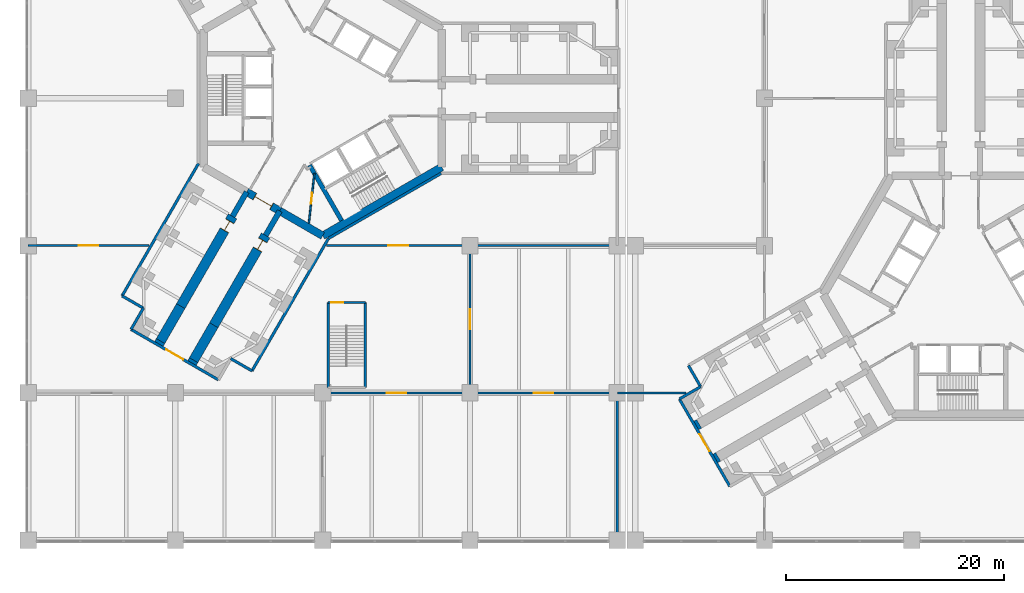
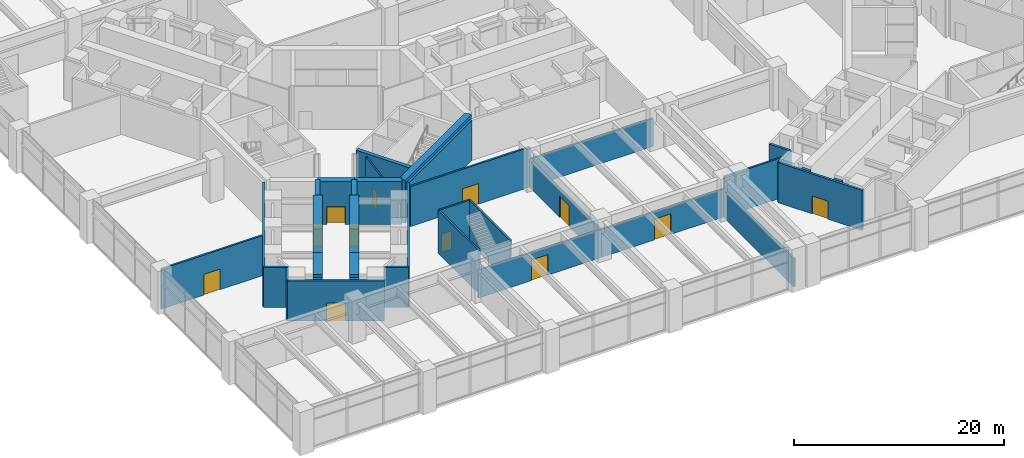
# One storey, part 21 of 32: 36 walls, 12 doors, 12 openings.
"""IFC4 building model written with IfcOpenShell, lengths in metres."""

from ifc_helpers import new_model, si_unit, direction, frame, frame_2d, origin, place, context, subcontext, project, spatial, rectangle, extrude, material, layer, layer_set, type_object, element, fill, save


model = new_model("IFC4")

# Units and contexts
model_context = context("Model", 3, precision=1e-05, world=origin(), true_north=direction((0.0, 1.0)))
body_context = subcontext(model_context, "Body", "Model", "MODEL_VIEW")
ifc_project = project(units=[si_unit("LENGTHUNIT", "METRE"), si_unit("AREAUNIT", "SQUARE_METRE"), si_unit("VOLUMEUNIT", "CUBIC_METRE"), si_unit("PLANEANGLEUNIT", "RADIAN"), si_unit("MASSUNIT", "GRAM", prefix="KILO")], contexts=[model_context])

# Site, building, storey
site_placement = place(None, origin())
site = spatial("IfcSite", under=ifc_project, at=site_placement, CompositionType="ELEMENT")
building_placement = place(site_placement, origin())
building = spatial("IfcBuilding", under=site, at=building_placement, Name="Upepo Twin Towers", CompositionType="ELEMENT")
storey_placement = place(building_placement, frame((0.0, 0.0, 10.5)))
storey = spatial("IfcBuildingStorey", under=building, at=storey_placement, Name="L02", CompositionType="ELEMENT", Elevation=10.5)

# Walls
ifc_material_1 = material(Name="Dense concrete blockwork", Category="masonry")
ifc_layer_1 = layer(ifc_material_1, 0.89990234375)
ifc_layer_set_1 = layer_set([ifc_layer_1], Name="Buttress closer 900, blockwork with fire-stopping to the curtain wall")
wall_type_1 = type_object("IfcWallType", Name="Buttress closer 900, blockwork with fire-stopping to the curtain wall", PredefinedType="PARTITIONING", material=ifc_layer_set_1)
wall_1_placement = place(storey_placement, frame((-11.83447265625, -23.997802734375, 0.0), z_axis=(0.0, 0.0, 1.0), x_axis=(-0.499816412211, -0.866131372301, 0.0)))
element("IfcWall", 1, at=wall_1_placement, inside=storey, type_object=wall_type_1, Name="T1 L02 wing C buttress closer L", PredefinedType="PARTITIONING", context=body_context, shape_type="SweptSolid", body=[
    extrude(rectangle(XDim=0.2998046875, YDim=0.89990234375, at=frame_2d((0.14990234375, 0.0))), origin(), (0.0, 0.0, 1.0), 4.64990234375),
])
for number, where, z_axis, x_axis, name in (
    (2, (-14.865478515625, -22.247802734375, 0.0), (0.0, 0.0, 1.0), (-0.500426713919, -0.865778900179, 0.0), "T1 L02 wing C buttress closer R"),
    (3, (36.252197265625, -32.865478515625, 0.0), (0.0, 0.0, 1.0), (-0.865778900179, -0.500426713919, 0.0), "T2 L02 wing B buttress closer L"),
):
    element("IfcWall", number, at=place(storey_placement, frame(where, z_axis=z_axis, x_axis=x_axis)), inside=storey, type_object=wall_type_1, Name=name, PredefinedType="PARTITIONING", context=body_context, shape_type="SweptSolid", body=[
        extrude(rectangle(XDim=0.300048828125, YDim=0.89990234375, at=frame_2d((0.14990234375, 0.0))), origin(), (0.0, 0.0, 1.0), 4.64990234375),
    ])
wall_2_placement = place(storey_placement, frame((34.502197265625, -29.83447265625, 0.0), z_axis=(0.0, 0.0, 1.0), x_axis=(-0.866131372301, -0.499816412211, 0.0)))
element("IfcWall", 4, at=wall_2_placement, inside=storey, type_object=wall_type_1, Name="T2 L02 wing B buttress closer R", PredefinedType="PARTITIONING", context=body_context, shape_type="SweptSolid", body=[
    extrude(rectangle(XDim=0.2998046875, YDim=0.89990234375, at=frame_2d((0.14990234375, 0.0))), origin(), (0.0, 0.0, 1.0), 4.64990234375),
])
ifc_material_2 = material(Name="Concrete C60/75", Category="concrete")
ifc_layer_2 = layer(ifc_material_2, 0.5)
ifc_layer_set_2 = layer_set([ifc_layer_2], Name="Concrete C60/75")
wall_type_2 = type_object("IfcWallType", Name="Buttress wall 500 RC", PredefinedType="SHEAR", material=ifc_layer_set_2)
for number, where, z_axis, x_axis, name in (
    (5, (-3.938720703125, -10.32177734375, 0.0), (0.0, 0.0, 1.0), (-0.499918158782, -0.866072649678, 0.0), "T1 wing C buttress wall L"),
    (6, (-6.9697265625, -8.57177734375, 0.0), (0.0, 0.0, 1.0), (-0.499988811324, -0.866031863473, 0.0), "T1 wing C buttress wall R"),
):
    element("IfcWall", number, at=place(storey_placement, frame(where, z_axis=z_axis, x_axis=x_axis)), inside=storey, type_object=wall_type_2, Name=name, PredefinedType="SHEAR", context=body_context, shape_type="SweptSolid", body=[
        extrude(rectangle(XDim=2.591796875, YDim=0.5, at=frame_2d((1.2958984375, 0.0))), origin(), (0.0, 0.0, 1.0), 5.0),
    ])

# Wall, opening, door
ifc_material_3 = material(Name="Concrete C60/75", Category="concrete")
ifc_layer_3 = layer(ifc_material_3, 0.89990234375)
ifc_layer_set_3 = layer_set([ifc_layer_3], Name="Concrete C60/75")
wall_type_3 = type_object("IfcWallType", Name="Buttress wall 900 RC", PredefinedType="SHEAR", material=ifc_layer_set_3)
wall_3_placement = place(storey_placement, frame((-5.234375, -12.56640625, 0.0), z_axis=(0.0, 0.0, 1.0), x_axis=(-0.499997557548, -0.86602681393, 0.0)))
wall_3 = element("IfcWall", 7, at=wall_3_placement, inside=storey, type_object=wall_type_3, Name="T1 wing C buttress wall L part 2", PredefinedType="SHEAR", context=body_context, shape_type="SweptSolid", body=[
    extrude(rectangle(XDim=9.5, YDim=0.89990234375, at=frame_2d((4.75, 0.0))), origin(), (0.0, 0.0, 1.0), 5.0),
])
opening_1_placement = place(wall_3_placement, frame((0.5, 0.0, 0.0)))
opening_1 = element("IfcOpeningElement", 8, at=opening_1_placement, cuts=wall_3, Name="Opening D1", PredefinedType="OPENING", context=body_context, shape_type="SweptSolid", body=[
    extrude(rectangle(XDim=1.0, YDim=2.10009765625, at=frame_2d((0.5, 1.050048828125))), frame((0.0, 0.4599609375, 0.0), z_axis=(0.0, -1.0, 0.0), x_axis=(1.0, 0.0, 0.0)), (0.0, 0.0, 1.0), 0.919921875),
])
ifc_material_4 = material(Name="Timber doorset", Category="wood")
door_type_1 = type_object("IfcDoorType", Name="Room door 1000 FD30", OperationType="SINGLE_SWING_LEFT", PredefinedType="DOOR", material=ifc_material_4)
door_1_placement = place(opening_1_placement, origin())
door_1 = element("IfcDoor", 9, at=door_1_placement, inside=storey, type_object=door_type_1, Name="T1 L02 library carrel room door", OperationType="SINGLE_SWING_LEFT", OverallHeight=2.10009765625, OverallWidth=1.0, PredefinedType="DOOR", context=body_context, shape_type="SweptSolid", body=[
    extrude(rectangle(XDim=0.92, YDim=2.06009765625, at=frame_2d((0.5, 1.030029296875))), frame((0.0, 0.02490234375, 0.0), z_axis=(0.0, -1.0, 0.0), x_axis=(1.0, 0.0, 0.0)), (0.0, 0.0, 1.0), 0.050048828125),
    extrude(rectangle(XDim=0.04, YDim=2.10009765625, at=frame_2d((0.02001953125, 1.050048828125))), frame((0.0, 0.44970703125, 0.0), z_axis=(0.0, -1.0, 0.0), x_axis=(1.0, 0.0, 0.0)), (0.0, 0.0, 1.0), 0.8994140625),
    extrude(rectangle(XDim=0.04, YDim=2.10009765625, at=frame_2d((0.97998046875, 1.050048828125))), frame((0.0, 0.44970703125, 0.0), z_axis=(0.0, -1.0, 0.0), x_axis=(1.0, 0.0, 0.0)), (0.0, 0.0, 1.0), 0.8994140625),
    extrude(rectangle(XDim=0.92, YDim=0.04, at=frame_2d((0.5, 2.080078125))), frame((0.0, 0.44970703125, 0.0), z_axis=(0.0, -1.0, 0.0), x_axis=(1.0, 0.0, 0.0)), (0.0, 0.0, 1.0), 0.8994140625),
])
fill(opening_1, door_1)

# Wall
wall_4_placement = place(storey_placement, frame((-9.984375, -20.793701171875, 0.0), z_axis=(0.0, 0.0, 1.0), x_axis=(-0.500042316284, -0.866000971088, 0.0)))
element("IfcWall", 10, at=wall_4_placement, inside=storey, type_object=wall_type_3, Name="T1 wing C buttress wall L part 3", PredefinedType="SHEAR", context=body_context, shape_type="SweptSolid", body=[
    extrude(rectangle(XDim=3.699951171875, YDim=0.89990234375, at=frame_2d((1.85009765625, 0.0))), origin(), (0.0, 0.0, 1.0), 5.0),
])

# Wall, opening, door
wall_5_placement = place(storey_placement, frame((-8.265625, -10.81640625, 0.0), z_axis=(0.0, 0.0, 1.0), x_axis=(-0.499997557548, -0.86602681393, 0.0)))
wall_5 = element("IfcWall", 11, at=wall_5_placement, inside=storey, type_object=wall_type_3, Name="T1 wing C buttress wall R part 2", PredefinedType="SHEAR", context=body_context, shape_type="SweptSolid", body=[
    extrude(rectangle(XDim=9.5, YDim=0.89990234375, at=frame_2d((4.75, 0.0))), origin(), (0.0, 0.0, 1.0), 5.0),
])
opening_2_placement = place(wall_5_placement, frame((0.5, 0.0, 0.0)))
opening_2 = element("IfcOpeningElement", 12, at=opening_2_placement, cuts=wall_5, Name="Opening D1", PredefinedType="OPENING", context=body_context, shape_type="SweptSolid", body=[
    extrude(rectangle(XDim=1.0, YDim=2.10009765625, at=frame_2d((0.5, 1.050048828125))), frame((0.0, 0.4599609375, 0.0), z_axis=(0.0, -1.0, 0.0), x_axis=(1.0, 0.0, 0.0)), (0.0, 0.0, 1.0), 0.919921875),
])
door_2_placement = place(opening_2_placement, origin())
door_2 = element("IfcDoor", 13, at=door_2_placement, inside=storey, type_object=door_type_1, Name="T1 L02 library carrel room door", OperationType="SINGLE_SWING_LEFT", OverallHeight=2.10009765625, OverallWidth=1.0, PredefinedType="DOOR", context=body_context, shape_type="SweptSolid", body=[
    extrude(rectangle(XDim=0.92, YDim=2.06009765625, at=frame_2d((0.5, 1.030029296875))), frame((0.0, 0.02490234375, 0.0), z_axis=(0.0, -1.0, 0.0), x_axis=(1.0, 0.0, 0.0)), (0.0, 0.0, 1.0), 0.050048828125),
    extrude(rectangle(XDim=0.04, YDim=2.10009765625, at=frame_2d((0.02001953125, 1.050048828125))), frame((0.0, 0.44970703125, 0.0), z_axis=(0.0, -1.0, 0.0), x_axis=(1.0, 0.0, 0.0)), (0.0, 0.0, 1.0), 0.8994140625),
    extrude(rectangle(XDim=0.04, YDim=2.10009765625, at=frame_2d((0.97998046875, 1.050048828125))), frame((0.0, 0.44970703125, 0.0), z_axis=(0.0, -1.0, 0.0), x_axis=(1.0, 0.0, 0.0)), (0.0, 0.0, 1.0), 0.8994140625),
    extrude(rectangle(XDim=0.92, YDim=0.04, at=frame_2d((0.5, 2.080078125))), frame((0.0, 0.44970703125, 0.0), z_axis=(0.0, -1.0, 0.0), x_axis=(1.0, 0.0, 0.0)), (0.0, 0.0, 1.0), 0.8994140625),
])
fill(opening_2, door_2)

# Wall
wall_6_placement = place(storey_placement, frame((-13.015625, -19.043701171875, 0.0), z_axis=(0.0, 0.0, 1.0), x_axis=(-0.499992827086, -0.866029545028, 0.0)))
element("IfcWall", 14, at=wall_6_placement, inside=storey, type_object=wall_type_3, Name="T1 wing C buttress wall R part 3", PredefinedType="SHEAR", context=body_context, shape_type="SweptSolid", body=[
    extrude(rectangle(XDim=3.69970703125, YDim=0.89990234375, at=frame_2d((1.849853515625, 0.0))), origin(), (0.0, 0.0, 1.0), 5.0),
])

# Wall, opening, door
ifc_material_5 = material(Name="Concrete C60/75", Category="concrete")
ifc_layer_4 = layer(ifc_material_5, 0.699951171875)
ifc_layer_set_4 = layer_set([ifc_layer_4], Name="Concrete C60/75")
wall_type_4 = type_object("IfcWallType", Name="Core wall 700 RC", PredefinedType="SHEAR", material=ifc_layer_set_4)
wall_7_placement = place(storey_placement, frame((-6.9697265625, -8.57177734375, 0.0), z_axis=(0.0, 0.0, 1.0), x_axis=(0.866019471182, -0.500010275428, 0.0)))
wall_7 = element("IfcWall", 15, at=wall_7_placement, inside=storey, type_object=wall_type_4, Name="T1 core wall 240", PredefinedType="SHEAR", context=body_context, shape_type="SweptSolid", body=[
    extrude(rectangle(XDim=3.5, YDim=0.699951171875, at=frame_2d((1.75, 0.0))), origin(), (0.0, 0.0, 1.0), 5.0),
])
opening_3_placement = place(wall_7_placement, frame((0.85009765625, 0.0, 0.0)))
opening_3 = element("IfcOpeningElement", 16, at=opening_3_placement, cuts=wall_7, Name="Opening D2", PredefinedType="OPENING", context=body_context, shape_type="SweptSolid", body=[
    extrude(rectangle(XDim=1.800048828125, YDim=2.10009765625, at=frame_2d((0.89990234375, 1.050048828125))), frame((0.0, 0.35986328125, 0.0), z_axis=(0.0, -1.0, 0.0), x_axis=(1.0, 0.0, 0.0)), (0.0, 0.0, 1.0), 0.719970703125),
])
ifc_material_6 = material(Name="Timber doorset", Category="wood")
door_type_2 = type_object("IfcDoorType", Name="Corridor double door 1800 FD60", OperationType="DOUBLE_DOOR_DOUBLE_SWING", PredefinedType="DOOR", material=ifc_material_6)
door_3_placement = place(opening_3_placement, origin())
door_3 = element("IfcDoor", 17, at=door_3_placement, inside=storey, type_object=door_type_2, Name="T1 L02 wing C corridor door", OperationType="DOUBLE_DOOR_DOUBLE_SWING", OverallHeight=2.10009765625, OverallWidth=1.800048828125, PredefinedType="DOOR", context=body_context, shape_type="SweptSolid", body=[
    extrude(rectangle(XDim=1.720048828125, YDim=2.06009765625, at=frame_2d((0.89990234375, 1.030029296875))), frame((0.0, 0.02490234375, 0.0), z_axis=(0.0, -1.0, 0.0), x_axis=(1.0, 0.0, 0.0)), (0.0, 0.0, 1.0), 0.050048828125),
    extrude(rectangle(XDim=0.04, YDim=2.10009765625, at=frame_2d((0.02001953125, 1.050048828125))), frame((0.0, 0.349609375, 0.0), z_axis=(0.0, -1.0, 0.0), x_axis=(1.0, 0.0, 0.0)), (0.0, 0.0, 1.0), 0.699462890625),
    extrude(rectangle(XDim=0.04, YDim=2.10009765625, at=frame_2d((1.780029296875, 1.050048828125))), frame((0.0, 0.349609375, 0.0), z_axis=(0.0, -1.0, 0.0), x_axis=(1.0, 0.0, 0.0)), (0.0, 0.0, 1.0), 0.699462890625),
    extrude(rectangle(XDim=1.720048828125, YDim=0.04, at=frame_2d((0.89990234375, 2.080078125))), frame((0.0, 0.349609375, 0.0), z_axis=(0.0, -1.0, 0.0), x_axis=(1.0, 0.0, 0.0)), (0.0, 0.0, 1.0), 0.699462890625),
])
fill(opening_3, door_3)

# Walls
wall_8_placement = place(storey_placement, frame((-3.938720703125, -10.32177734375, 0.0), z_axis=(0.0, 0.0, 1.0), x_axis=(0.866011268655, -0.500024481964, 0.0)))
element("IfcWall", 18, at=wall_8_placement, inside=storey, type_object=wall_type_4, Name="T1 core wall 240 L", PredefinedType="SHEAR", context=body_context, shape_type="SweptSolid", body=[
    extrude(rectangle(XDim=4.548095703125, YDim=0.699951171875, at=frame_2d((2.27392578125, 0.0))), origin(), (0.0, 0.0, 1.0), 5.0),
])
wall_9_placement = place(storey_placement, frame((0.0, -12.595947265625, 0.0), z_axis=(0.0, 0.0, 1.0), x_axis=(0.866021940709, 0.500005998175, 0.0)))
element("IfcWall", 19, at=wall_9_placement, inside=storey, type_object=wall_type_4, Name="T1 core wall 300", PredefinedType="SHEAR", context=body_context, shape_type="SweptSolid", body=[
    extrude(rectangle(XDim=12.595947265625, YDim=0.699951171875, at=frame_2d((6.2978515625, 0.0))), origin(), (0.0, 0.0, 1.0), 5.0),
])

# Wall, opening, door
ifc_material_7 = material(Name="Concrete blockwork", Category="masonry")
ifc_layer_5 = layer(ifc_material_7, 0.199951171875)
ifc_layer_set_5 = layer_set([ifc_layer_5], Name="Podium partition 200 blockwork")
wall_type_5 = type_object("IfcWallType", Name="Podium partition 200 blockwork", PredefinedType="PARTITIONING", material=ifc_layer_set_5)
wall_10_placement = place(storey_placement, frame((-27.0, -13.5, 0.0), z_axis=(0.0, 0.0, 1.0), x_axis=(1.0, 0.0, 0.0)))
wall_10 = element("IfcWall", 20, at=wall_10_placement, inside=storey, type_object=wall_type_5, Name="L02 podium wall Y02", PredefinedType="PARTITIONING", context=body_context, shape_type="SweptSolid", body=[
    extrude(rectangle(XDim=11.065185546875, YDim=0.199951171875, at=frame_2d((5.53271484375, 0.0))), origin(), (0.0, 0.0, 1.0), 4.64990234375),
])
opening_4_placement = place(wall_10_placement, frame((4.632568359375, 0.0, 0.0)))
opening_4 = element("IfcOpeningElement", 21, at=opening_4_placement, cuts=wall_10, Name="Opening D10", PredefinedType="OPENING", context=body_context, shape_type="SweptSolid", body=[
    extrude(rectangle(XDim=1.800048828125, YDim=2.39990234375, at=frame_2d((0.89990234375, 1.199951171875))), frame((0.0, 0.10986328125, 0.0), z_axis=(0.0, -1.0, 0.0), x_axis=(1.0, 0.0, 0.0)), (0.0, 0.0, 1.0), 0.219970703125),
])
ifc_material_8 = material(Name="Timber doorset", Category="wood")
door_type_3 = type_object("IfcDoorType", Name="Podium double door 1800", OperationType="DOUBLE_DOOR_DOUBLE_SWING", PredefinedType="DOOR", material=ifc_material_8)
door_4_placement = place(opening_4_placement, origin())
door_4 = element("IfcDoor", 22, at=door_4_placement, inside=storey, type_object=door_type_3, Name="L02 staff offices 2.01 door", OperationType="DOUBLE_DOOR_DOUBLE_SWING", OverallHeight=2.39990234375, OverallWidth=1.800048828125, PredefinedType="DOOR", context=body_context, shape_type="SweptSolid", body=[
    extrude(rectangle(XDim=1.800048828125, YDim=2.39990234375, at=frame_2d((0.89990234375, 1.199951171875))), frame((0.0, 0.02490234375, 0.0), z_axis=(0.0, -1.0, 0.0), x_axis=(1.0, 0.0, 0.0)), (0.0, 0.0, 1.0), 0.050048828125),
])
fill(opening_4, door_4)

wall_11_placement = place(storey_placement, frame((0.0, -27.0, 0.0), z_axis=(0.0, 0.0, 1.0), x_axis=(1.0, 0.0, 0.0)))
wall_11 = element("IfcWall", 23, at=wall_11_placement, inside=storey, type_object=wall_type_5, Name="L02 podium wall Y21", PredefinedType="PARTITIONING", context=body_context, shape_type="SweptSolid", body=[
    extrude(rectangle(XDim=13.5, YDim=0.199951171875, at=frame_2d((6.75, 0.0))), origin(), (0.0, 0.0, 1.0), 3.25),
])
opening_5_placement = place(wall_11_placement, frame((5.85009765625, 0.0, 0.0)))
opening_5 = element("IfcOpeningElement", 24, at=opening_5_placement, cuts=wall_11, Name="Opening D10", PredefinedType="OPENING", context=body_context, shape_type="SweptSolid", body=[
    extrude(rectangle(XDim=1.800048828125, YDim=2.39990234375, at=frame_2d((0.89990234375, 1.199951171875))), frame((0.0, 0.10986328125, 0.0), z_axis=(0.0, -1.0, 0.0), x_axis=(1.0, 0.0, 0.0)), (0.0, 0.0, 1.0), 0.219970703125),
])
door_5_placement = place(opening_5_placement, origin())
door_5 = element("IfcDoor", 25, at=door_5_placement, inside=storey, type_object=door_type_3, Name="L02 staff offices 2.04 door", OperationType="DOUBLE_DOOR_DOUBLE_SWING", OverallHeight=2.39990234375, OverallWidth=1.800048828125, PredefinedType="DOOR", context=body_context, shape_type="SweptSolid", body=[
    extrude(rectangle(XDim=1.800048828125, YDim=2.39990234375, at=frame_2d((0.89990234375, 1.199951171875))), frame((0.0, 0.02490234375, 0.0), z_axis=(0.0, -1.0, 0.0), x_axis=(1.0, 0.0, 0.0)), (0.0, 0.0, 1.0), 0.050048828125),
])
fill(opening_5, door_5)

wall_12_placement = place(storey_placement, frame((13.5, -27.0, 0.0), z_axis=(0.0, 0.0, 1.0), x_axis=(0.0, 1.0, 0.0)))
wall_12 = element("IfcWall", 26, at=wall_12_placement, inside=storey, type_object=wall_type_5, Name="L02 podium wall X31", PredefinedType="PARTITIONING", context=body_context, shape_type="SweptSolid", body=[
    extrude(rectangle(XDim=13.5, YDim=0.199951171875, at=frame_2d((6.75, 0.0))), origin(), (0.0, 0.0, 1.0), 3.25),
])
opening_6_placement = place(wall_12_placement, frame((5.85009765625, 0.0, 0.0)))
opening_6 = element("IfcOpeningElement", 27, at=opening_6_placement, cuts=wall_12, Name="Opening D10", PredefinedType="OPENING", context=body_context, shape_type="SweptSolid", body=[
    extrude(rectangle(XDim=1.800048828125, YDim=2.39990234375, at=frame_2d((0.89990234375, 1.199951171875))), frame((0.0, 0.10986328125, 0.0), z_axis=(0.0, -1.0, 0.0), x_axis=(1.0, 0.0, 0.0)), (0.0, 0.0, 1.0), 0.219970703125),
])
door_6_placement = place(opening_6_placement, origin())
door_6 = element("IfcDoor", 28, at=door_6_placement, inside=storey, type_object=door_type_3, Name="L02 staff offices 2.03 door", OperationType="DOUBLE_DOOR_DOUBLE_SWING", OverallHeight=2.39990234375, OverallWidth=1.800048828125, PredefinedType="DOOR", context=body_context, shape_type="SweptSolid", body=[
    extrude(rectangle(XDim=1.800048828125, YDim=2.39990234375, at=frame_2d((0.89990234375, 1.199951171875))), frame((0.0, 0.02490234375, 0.0), z_axis=(0.0, -1.0, 0.0), x_axis=(1.0, 0.0, 0.0)), (0.0, 0.0, 1.0), 0.050048828125),
])
fill(opening_6, door_6)

wall_13_placement = place(storey_placement, frame((0.346435546875, -13.5, 0.0), z_axis=(0.0, 0.0, 1.0), x_axis=(1.0, 0.0, 0.0)))
wall_13 = element("IfcWall", 29, at=wall_13_placement, inside=storey, type_object=wall_type_5, Name="L02 podium wall Y22", PredefinedType="PARTITIONING", context=body_context, shape_type="SweptSolid", body=[
    extrude(rectangle(XDim=13.153564453125, YDim=0.199951171875, at=frame_2d((6.57666015625, 0.0))), origin(), (0.0, 0.0, 1.0), 4.64990234375),
])
opening_7_placement = place(wall_13_placement, frame((5.6767578125, 0.0, 0.0)))
opening_7 = element("IfcOpeningElement", 30, at=opening_7_placement, cuts=wall_13, Name="Opening D10", PredefinedType="OPENING", context=body_context, shape_type="SweptSolid", body=[
    extrude(rectangle(XDim=1.800048828125, YDim=2.39990234375, at=frame_2d((0.89990234375, 1.199951171875))), frame((0.0, 0.10986328125, 0.0), z_axis=(0.0, -1.0, 0.0), x_axis=(1.0, 0.0, 0.0)), (0.0, 0.0, 1.0), 0.219970703125),
])
door_7_placement = place(opening_7_placement, origin())
door_7 = element("IfcDoor", 31, at=door_7_placement, inside=storey, type_object=door_type_3, Name="L02 toilets door", OperationType="DOUBLE_DOOR_DOUBLE_SWING", OverallHeight=2.39990234375, OverallWidth=1.800048828125, PredefinedType="DOOR", context=body_context, shape_type="SweptSolid", body=[
    extrude(rectangle(XDim=1.800048828125, YDim=2.39990234375, at=frame_2d((0.89990234375, 1.199951171875))), frame((0.0, 0.02490234375, 0.0), z_axis=(0.0, -1.0, 0.0), x_axis=(1.0, 0.0, 0.0)), (0.0, 0.0, 1.0), 0.050048828125),
])
fill(opening_7, door_7)

# Wall
wall_14_placement = place(storey_placement, frame((27.0, -40.5, 0.0), z_axis=(0.0, 0.0, 1.0), x_axis=(0.0, 1.0, 0.0)))
element("IfcWall", 32, at=wall_14_placement, inside=storey, type_object=wall_type_5, Name="L02 podium wall X40", PredefinedType="PARTITIONING", context=body_context, shape_type="SweptSolid", body=[
    extrude(rectangle(XDim=13.5, YDim=0.199951171875, at=frame_2d((6.75, 0.0))), origin(), (0.0, 0.0, 1.0), 3.25),
])

# Wall, opening, door
wall_15_placement = place(storey_placement, frame((13.5, -27.0, 0.0), z_axis=(0.0, 0.0, 1.0), x_axis=(1.0, 0.0, 0.0)))
wall_15 = element("IfcWall", 33, at=wall_15_placement, inside=storey, type_object=wall_type_5, Name="L02 podium wall Y31", PredefinedType="PARTITIONING", context=body_context, shape_type="SweptSolid", body=[
    extrude(rectangle(XDim=13.5, YDim=0.199951171875, at=frame_2d((6.75, 0.0))), origin(), (0.0, 0.0, 1.0), 3.25),
])
opening_8_placement = place(wall_15_placement, frame((5.85009765625, 0.0, 0.0)))
opening_8 = element("IfcOpeningElement", 34, at=opening_8_placement, cuts=wall_15, Name="Opening D10", PredefinedType="OPENING", context=body_context, shape_type="SweptSolid", body=[
    extrude(rectangle(XDim=1.800048828125, YDim=2.39990234375, at=frame_2d((0.89990234375, 1.199951171875))), frame((0.0, 0.10986328125, 0.0), z_axis=(0.0, -1.0, 0.0), x_axis=(1.0, 0.0, 0.0)), (0.0, 0.0, 1.0), 0.219970703125),
])
door_8_placement = place(opening_8_placement, origin())
door_8 = element("IfcDoor", 35, at=door_8_placement, inside=storey, type_object=door_type_3, Name="L02 staff offices 2.04-staff offices 2.03 door", OperationType="DOUBLE_DOOR_DOUBLE_SWING", OverallHeight=2.39990234375, OverallWidth=1.800048828125, PredefinedType="DOOR", context=body_context, shape_type="SweptSolid", body=[
    extrude(rectangle(XDim=1.800048828125, YDim=2.39990234375, at=frame_2d((0.89990234375, 1.199951171875))), frame((0.0, 0.02490234375, 0.0), z_axis=(0.0, -1.0, 0.0), x_axis=(1.0, 0.0, 0.0)), (0.0, 0.0, 1.0), 0.050048828125),
])
fill(opening_8, door_8)

# Walls
wall_16_placement = place(storey_placement, frame((13.5, -13.5, 0.0), z_axis=(0.0, 0.0, 1.0), x_axis=(1.0, 0.0, 0.0)))
element("IfcWall", 36, at=wall_16_placement, inside=storey, type_object=wall_type_5, Name="L02 podium wall Y32", PredefinedType="PARTITIONING", context=body_context, shape_type="SweptSolid", body=[
    extrude(rectangle(XDim=13.5, YDim=0.199951171875, at=frame_2d((6.75, 0.0))), origin(), (0.0, 0.0, 1.0), 3.25),
])
wall_17_placement = place(storey_placement, frame((27.0, -27.0, 0.0), z_axis=(0.0, 0.0, 1.0), x_axis=(1.0, 0.0, 0.0)))
element("IfcWall", 37, at=wall_17_placement, inside=storey, type_object=wall_type_5, Name="L02 podium wall Y41", PredefinedType="PARTITIONING", context=body_context, shape_type="SweptSolid", body=[
    extrude(rectangle(XDim=6.3115234375, YDim=0.199951171875, at=frame_2d((3.15576171875, 0.0))), origin(), (0.0, 0.0, 1.0), 4.64990234375),
])
ifc_material_9 = material(Name="Concrete C40/50", Category="concrete")
ifc_layer_6 = layer(ifc_material_9, 0.199951171875)
ifc_layer_set_6 = layer_set([ifc_layer_6], Name="Concrete C40/50")
wall_type_6 = type_object("IfcWallType", Name="Podium stair enclosure 200 RC", PredefinedType="SHEAR", material=ifc_layer_set_6)
wall_18_placement = place(storey_placement, frame((3.89990234375, -26.5, 0.0), z_axis=(0.0, 0.0, 1.0), x_axis=(0.0, 1.0, 0.0)))
element("IfcWall", 38, at=wall_18_placement, inside=storey, type_object=wall_type_6, Name="PS3 L02 enclosure wall 2", PredefinedType="SHEAR", context=body_context, shape_type="SweptSolid", body=[
    extrude(rectangle(XDim=7.800048828125, YDim=0.199951171875, at=frame_2d((3.89990234375, 0.0))), origin(), (0.0, 0.0, 1.0), 5.0),
])

# Wall, opening, door
wall_19_placement = place(storey_placement, frame((3.89990234375, -18.699951171875, 0.0), z_axis=(0.0, 0.0, 1.0), x_axis=(-1.0, 0.0, 0.0)))
wall_19 = element("IfcWall", 39, at=wall_19_placement, inside=storey, type_object=wall_type_6, Name="PS3 L02 enclosure wall 3", PredefinedType="SHEAR", context=body_context, shape_type="SweptSolid", body=[
    extrude(rectangle(XDim=3.39990234375, YDim=0.199951171875, at=frame_2d((1.699951171875, 0.0))), origin(), (0.0, 0.0, 1.0), 5.0),
])
opening_9_placement = place(wall_19_placement, frame((2.0, 0.0, 0.0)))
opening_9 = element("IfcOpeningElement", 40, at=opening_9_placement, cuts=wall_19, Name="Opening D3", PredefinedType="OPENING", context=body_context, shape_type="SweptSolid", body=[
    extrude(rectangle(XDim=1.10009765625, YDim=2.10009765625, at=frame_2d((0.550048828125, 1.050048828125))), frame((0.0, 0.10986328125, 0.0), z_axis=(0.0, -1.0, 0.0), x_axis=(1.0, 0.0, 0.0)), (0.0, 0.0, 1.0), 0.219970703125),
])
ifc_material_10 = material(Name="Timber doorset", Category="wood")
door_type_4 = type_object("IfcDoorType", Name="Stair door 1100 FD60", OperationType="SINGLE_SWING_LEFT", PredefinedType="DOOR", material=ifc_material_10)
door_9_placement = place(opening_9_placement, origin())
door_9 = element("IfcDoor", 41, at=door_9_placement, inside=storey, type_object=door_type_4, Name="PS3 L02 door", OperationType="SINGLE_SWING_RIGHT", OverallHeight=2.10009765625, OverallWidth=1.10009765625, PredefinedType="DOOR", context=body_context, shape_type="SweptSolid", body=[
    extrude(rectangle(XDim=1.10009765625, YDim=2.10009765625, at=frame_2d((0.550048828125, 1.050048828125))), frame((0.0, 0.02490234375, 0.0), z_axis=(0.0, -1.0, 0.0), x_axis=(1.0, 0.0, 0.0)), (0.0, 0.0, 1.0), 0.050048828125),
])
fill(opening_9, door_9)

# Walls
wall_20_placement = place(storey_placement, frame((0.5, -18.699951171875, 0.0), z_axis=(0.0, 0.0, 1.0), x_axis=(0.0, -1.0, 0.0)))
element("IfcWall", 42, at=wall_20_placement, inside=storey, type_object=wall_type_6, Name="PS3 L02 enclosure wall 4", PredefinedType="SHEAR", context=body_context, shape_type="SweptSolid", body=[
    extrude(rectangle(XDim=7.800048828125, YDim=0.199951171875, at=frame_2d((3.89990234375, 0.0))), origin(), (0.0, 0.0, 1.0), 5.0),
])
ifc_material_11 = material(Name="Concrete C40/50", Category="concrete")
ifc_layer_7 = layer(ifc_material_11, 0.39990234375)
ifc_layer_set_7 = layer_set([ifc_layer_7], Name="Concrete C40/50")
wall_type_7 = type_object("IfcWallType", Name="Shaft wall 400 RC", PredefinedType="SHEAR", material=ifc_layer_set_7)
wall_21_placement = place(storey_placement, frame((-1.20068359375, -6.120361328125, 0.0), z_axis=(0.0, 0.0, 1.0), x_axis=(0.500002627198, -0.866023886965, 0.0)))
element("IfcWall", 43, at=wall_21_placement, inside=storey, type_object=wall_type_7, Name="T1 core W300 side wall S", PredefinedType="SHEAR", context=body_context, shape_type="SweptSolid", body=[
    extrude(rectangle(XDim=5.8583984375, YDim=0.39990234375, at=frame_2d((2.92919921875, 0.0))), origin(), (0.0, 0.0, 1.0), 5.0),
])

# Wall, opening, door
ifc_material_12 = material(Name="Gypsum board on steel studs", Category="steel")
ifc_layer_8 = layer(ifc_material_12, 0.14990234375)
ifc_layer_set_8 = layer_set([ifc_layer_8], Name="Teaching partition 150 acoustic")
wall_type_8 = type_object("IfcWallType", Name="Teaching partition 150 acoustic", PredefinedType="PARTITIONING", material=ifc_layer_set_8)
wall_22_placement = place(storey_placement, frame((-0.763916015625, -6.876953125, 0.0), z_axis=(0.0, 0.0, 1.0), x_axis=(-0.110408266965, -0.993886318744, 0.0)))
wall_22 = element("IfcWall", 44, at=wall_22_placement, inside=storey, type_object=wall_type_8, Name="T1 core room partition 19", PredefinedType="PARTITIONING", context=body_context, shape_type="SweptSolid", body=[
    extrude(rectangle(XDim=4.608154296875, YDim=0.14990234375, at=frame_2d((2.30419921875, 0.0))), origin(), (0.0, 0.0, 1.0), 4.64990234375),
])
opening_10_placement = place(wall_22_placement, frame((1.80419921875, 0.0, 0.0)))
opening_10 = element("IfcOpeningElement", 45, at=opening_10_placement, cuts=wall_22, Name="Opening D1", PredefinedType="OPENING", context=body_context, shape_type="SweptSolid", body=[
    extrude(rectangle(XDim=1.0, YDim=2.10009765625, at=frame_2d((0.5, 1.050048828125))), frame((0.0, 0.0849609375, 0.0), z_axis=(0.0, -1.0, 0.0), x_axis=(1.0, 0.0, 0.0)), (0.0, 0.0, 1.0), 0.169921875),
])
door_10_placement = place(opening_10_placement, origin())
door_10 = element("IfcDoor", 46, at=door_10_placement, inside=storey, type_object=door_type_1, Name="T1 L02 core room door K3", OperationType="SINGLE_SWING_LEFT", OverallHeight=2.10009765625, OverallWidth=1.0, PredefinedType="DOOR", context=body_context, shape_type="SweptSolid", body=[
    extrude(rectangle(XDim=1.0, YDim=2.10009765625, at=frame_2d((0.5, 1.050048828125))), frame((0.0, 0.02490234375, 0.0), z_axis=(0.0, -1.0, 0.0), x_axis=(1.0, 0.0, 0.0)), (0.0, 0.0, 1.0), 0.050048828125),
])
fill(opening_10, door_10)

ifc_material_13 = material(Name="Concrete blockwork", Category="masonry")
ifc_layer_9 = layer(ifc_material_13, 0.25)
ifc_layer_set_9 = layer_set([ifc_layer_9], Name="Tower enclosure wall 250 blockwork")
wall_type_9 = type_object("IfcWallType", Name="Tower enclosure wall 250 blockwork", PredefinedType="STANDARD", material=ifc_layer_set_9)
wall_23_placement = place(storey_placement, frame((-9.55712890625, -25.803466796875, 0.0), z_axis=(0.0, 0.0, 1.0), x_axis=(-0.866025598446, 0.499999662836, 0.0)))
wall_23 = element("IfcWall", 47, at=wall_23_placement, inside=storey, type_object=wall_type_9, Name="T1 L02 enclosure wall 2", PredefinedType="STANDARD", context=body_context, shape_type="SweptSolid", body=[
    extrude(rectangle(XDim=9.25, YDim=0.25, at=frame_2d((4.625, 0.0))), origin(), (0.0, 0.0, 1.0), 4.64990234375),
])
opening_11_placement = place(wall_23_placement, frame((3.72509765625, 0.0, 0.0)))
opening_11 = element("IfcOpeningElement", 48, at=opening_11_placement, cuts=wall_23, Name="Opening D2", PredefinedType="OPENING", context=body_context, shape_type="SweptSolid", body=[
    extrude(rectangle(XDim=1.800048828125, YDim=2.10009765625, at=frame_2d((0.89990234375, 1.050048828125))), frame((0.0, 0.135009765625, 0.0), z_axis=(0.0, -1.0, 0.0), x_axis=(1.0, 0.0, 0.0)), (0.0, 0.0, 1.0), 0.27001953125),
])
door_11_placement = place(opening_11_placement, origin())
door_11 = element("IfcDoor", 49, at=door_11_placement, inside=storey, type_object=door_type_2, Name="T1 L02 wing C podium door", OperationType="DOUBLE_DOOR_DOUBLE_SWING", OverallHeight=2.10009765625, OverallWidth=1.800048828125, PredefinedType="DOOR", context=body_context, shape_type="SweptSolid", body=[
    extrude(rectangle(XDim=1.800048828125, YDim=2.10009765625, at=frame_2d((0.89990234375, 1.050048828125))), frame((0.0, 0.02490234375, 0.0), z_axis=(0.0, -1.0, 0.0), x_axis=(1.0, 0.0, 0.0)), (0.0, 0.0, 1.0), 0.050048828125),
])
fill(opening_11, door_11)

# Walls
for number, where, z_axis, x_axis, name in (
    (50, (-17.56787109375, -21.178466796875, 0.0), (0.0, 0.0, 1.0), (0.500013631625, 0.866017533419, 0.0), "T1 L02 enclosure wall 3"),
    (51, (-16.44287109375, -19.22998046875, 0.0), (0.0, 0.0, 1.0), (-0.866017533419, 0.500013631625, 0.0), "T1 L02 enclosure wall 4"),
):
    element("IfcWall", number, at=place(storey_placement, frame(where, z_axis=z_axis, x_axis=x_axis)), inside=storey, type_object=wall_type_9, Name=name, PredefinedType="STANDARD", context=body_context, shape_type="SweptSolid", body=[
        extrude(rectangle(XDim=2.25, YDim=0.25, at=frame_2d((1.125, 0.0))), origin(), (0.0, 0.0, 1.0), 4.64990234375),
    ])
wall_24_placement = place(storey_placement, frame((-18.391357421875, -18.10498046875, 0.0), z_axis=(0.0, 0.0, 1.0), x_axis=(0.499996367808, 0.866027500821, 0.0)))
element("IfcWall", 52, at=wall_24_placement, inside=storey, type_object=wall_type_9, Name="T1 L02 enclosure wall 5", PredefinedType="STANDARD", context=body_context, shape_type="SweptSolid", body=[
    extrude(rectangle(XDim=14.01611328125, YDim=0.25, at=frame_2d((7.008056640625, 0.0))), origin(), (0.0, 0.0, 1.0), 4.64990234375),
])
wall_25_placement = place(storey_placement, frame((10.85888671875, -6.875, 0.0), z_axis=(0.0, 0.0, 1.0), x_axis=(-0.866027502425, -0.499996365031, 0.0)))
element("IfcWall", 53, at=wall_25_placement, inside=storey, type_object=wall_type_9, Name="T1 L02 enclosure wall 22", PredefinedType="STANDARD", context=body_context, shape_type="SweptSolid", body=[
    extrude(rectangle(XDim=11.93310546875, YDim=0.25, at=frame_2d((5.966552734375, 0.0))), origin(), (0.0, 0.0, 1.0), 4.64990234375),
])
wall_26_placement = place(storey_placement, frame((0.5244140625, -12.841552734375, 0.0), z_axis=(0.0, 0.0, 1.0), x_axis=(-0.499996367808, -0.866027500821, 0.0)))
element("IfcWall", 54, at=wall_26_placement, inside=storey, type_object=wall_type_9, Name="T1 L02 enclosure wall 23", PredefinedType="STANDARD", context=body_context, shape_type="SweptSolid", body=[
    extrude(rectangle(XDim=14.01611328125, YDim=0.25, at=frame_2d((7.008056640625, 0.0))), origin(), (0.0, 0.0, 1.0), 4.64990234375),
])
wall_27_placement = place(storey_placement, frame((-6.483642578125, -24.97998046875, 0.0), z_axis=(0.0, 0.0, 1.0), x_axis=(-0.866017533419, 0.500013631625, 0.0)))
element("IfcWall", 55, at=wall_27_placement, inside=storey, type_object=wall_type_9, Name="T1 L02 enclosure wall 24", PredefinedType="STANDARD", context=body_context, shape_type="SweptSolid", body=[
    extrude(rectangle(XDim=2.25, YDim=0.25, at=frame_2d((1.125, 0.0))), origin(), (0.0, 0.0, 1.0), 4.64990234375),
])

# Wall, opening, door
wall_28_placement = place(storey_placement, frame((37.321533203125, -35.56787109375, 0.0), z_axis=(0.0, 0.0, 1.0), x_axis=(-0.499999662836, 0.866025598446, 0.0)))
wall_28 = element("IfcWall", 56, at=wall_28_placement, inside=storey, type_object=wall_type_9, Name="T2 L02 enclosure wall 10", PredefinedType="STANDARD", context=body_context, shape_type="SweptSolid", body=[
    extrude(rectangle(XDim=9.25, YDim=0.25, at=frame_2d((4.625, 0.0))), origin(), (0.0, 0.0, 1.0), 4.64990234375),
])
opening_12_placement = place(wall_28_placement, frame((3.72509765625, 0.0, 0.0)))
opening_12 = element("IfcOpeningElement", 57, at=opening_12_placement, cuts=wall_28, Name="Opening D2", PredefinedType="OPENING", context=body_context, shape_type="SweptSolid", body=[
    extrude(rectangle(XDim=1.800048828125, YDim=2.10009765625, at=frame_2d((0.89990234375, 1.050048828125))), frame((0.0, 0.135009765625, 0.0), z_axis=(0.0, -1.0, 0.0), x_axis=(1.0, 0.0, 0.0)), (0.0, 0.0, 1.0), 0.27001953125),
])
door_12_placement = place(opening_12_placement, origin())
door_12 = element("IfcDoor", 58, at=door_12_placement, inside=storey, type_object=door_type_2, Name="T2 L02 wing B podium door", OperationType="DOUBLE_DOOR_DOUBLE_SWING", OverallHeight=2.10009765625, OverallWidth=1.800048828125, PredefinedType="DOOR", context=body_context, shape_type="SweptSolid", body=[
    extrude(rectangle(XDim=1.800048828125, YDim=2.10009765625, at=frame_2d((0.89990234375, 1.050048828125))), frame((0.0, 0.02490234375, 0.0), z_axis=(0.0, -1.0, 0.0), x_axis=(1.0, 0.0, 0.0)), (0.0, 0.0, 1.0), 0.050048828125),
])
fill(opening_12, door_12)

# Walls
for number, where, z_axis, x_axis, name in (
    (59, (32.696533203125, -27.55712890625, 0.0), (0.0, 0.0, 1.0), (0.866017533419, 0.500013631625, 0.0), "T2 L02 enclosure wall 11"),
    (60, (34.64501953125, -26.43212890625, 0.0), (0.0, 0.0, 1.0), (-0.500013631625, 0.866017533419, 0.0), "T2 L02 enclosure wall 12"),
):
    element("IfcWall", number, at=place(storey_placement, frame(where, z_axis=z_axis, x_axis=x_axis)), inside=storey, type_object=wall_type_9, Name=name, PredefinedType="STANDARD", context=body_context, shape_type="SweptSolid", body=[
        extrude(rectangle(XDim=2.25, YDim=0.25, at=frame_2d((1.125, 0.0))), origin(), (0.0, 0.0, 1.0), 4.64990234375),
    ])

save(model, "model.ifc")
